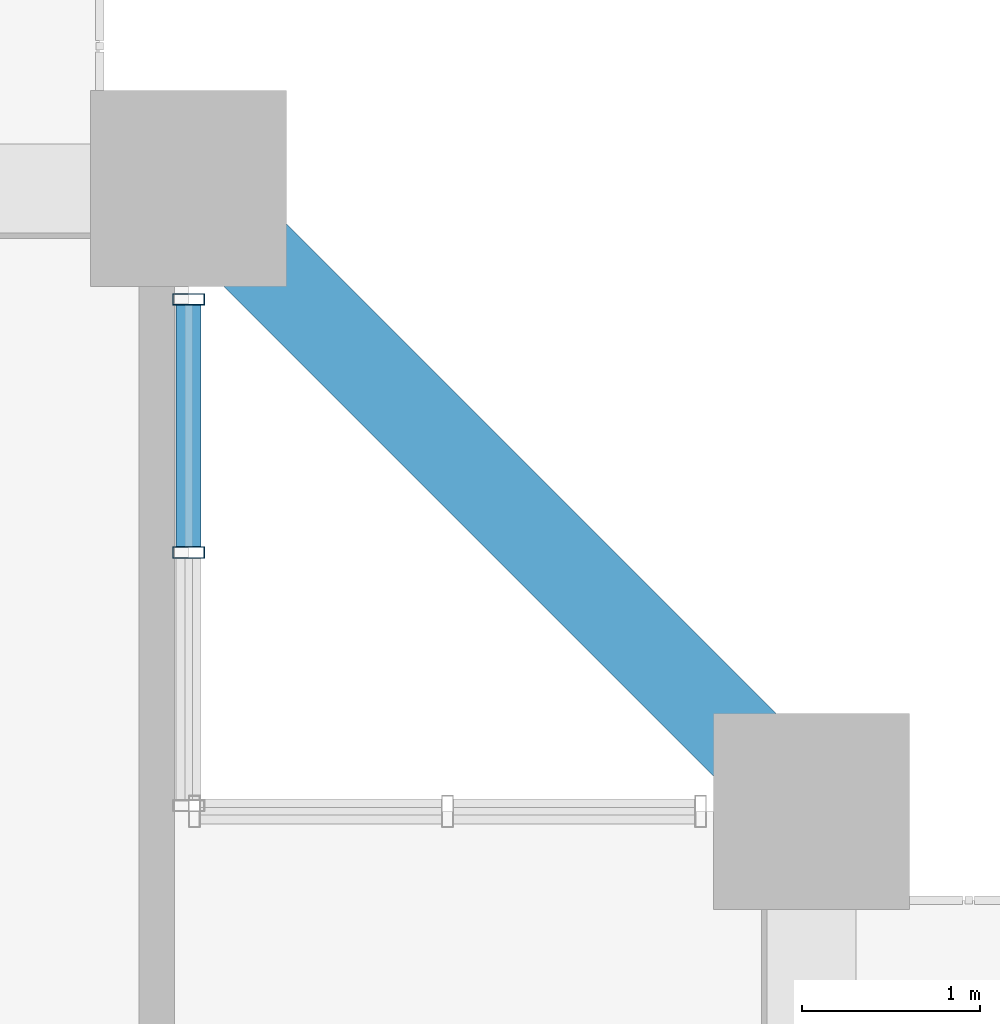
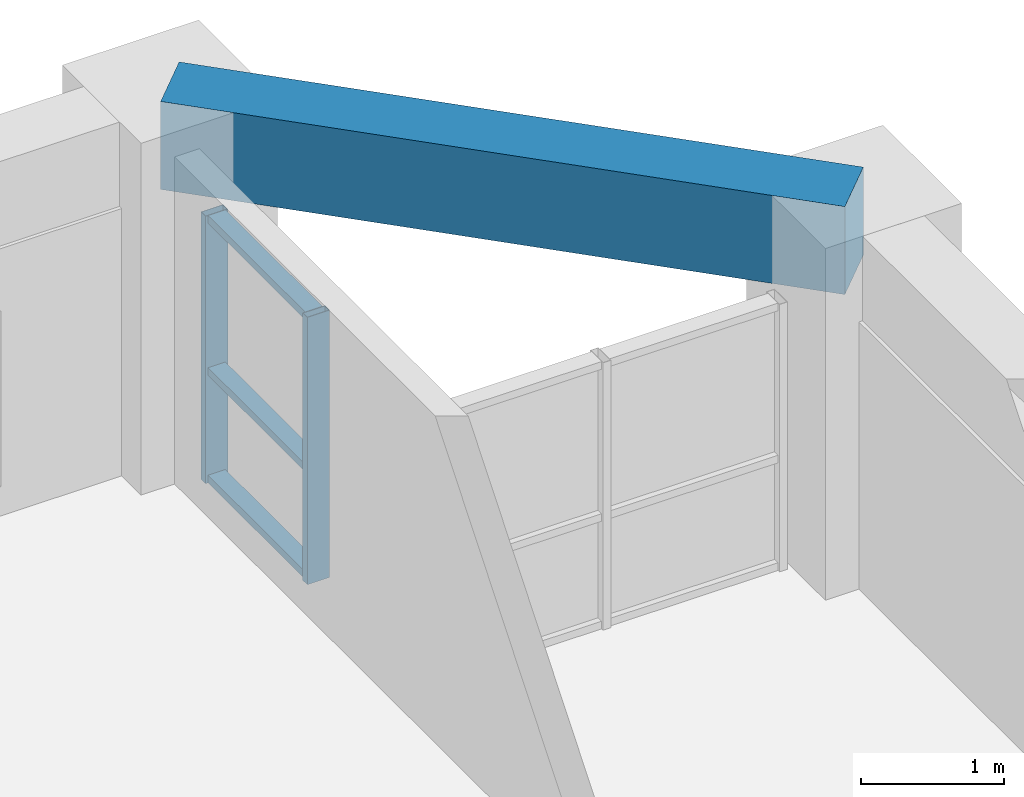
# One storey, part 12 of 28: 5 members, 1 beam, 1 element without a shape of its own.
"""IFC4 building model written with IfcOpenShell, lengths in metres."""

import ifcopenshell
import ifcopenshell.guid

model = None  # the IFC model being written
_history = None  # IfcOwnerHistory: only IFC2X3 demands one
_inside = {}  # id of a spatial element -> (the spatial element, [elements in it])
_under = {}  # id of a project, library or spatial element -> (it, [spatial elements below it])
_declared = {}  # id of a project -> (the project, [libraries it declares])
_typed = {}  # id of a type object -> (the type object, [elements of that type])
_made_of = {}  # id of a material, layer set ... -> (it, [elements and type objects made of it])


def new_model(schema):
    """Start an empty IFC model of exactly this schema.

    Asked for "IFC4X3", IfcOpenShell would pick the latest addendum, in which some entities
    have other attributes; the version numbers below select the first issue.
    IFC2X3 requires an IfcOwnerHistory on every rooted entity: one is made here for all.
    """
    global model, _history
    if schema == "IFC4X3":
        model = ifcopenshell.file(schema_version=(4, 3, 0, 0))
    else:
        model = ifcopenshell.file(schema=schema)
    _inside.clear()
    _under.clear()
    _declared.clear()
    _typed.clear()
    _made_of.clear()
    _history = None
    if model.schema == "IFC2X3":
        org = make("IfcOrganization", Name="unknown")
        user = make(
            "IfcPersonAndOrganization",
            ThePerson=make("IfcPerson", FamilyName="unknown"),
            TheOrganization=org,
        )
        app = make(
            "IfcApplication",
            ApplicationDeveloper=org,
            Version="unknown",
            ApplicationFullName="unknown",
            ApplicationIdentifier="unknown",
        )
        _history = make(
            "IfcOwnerHistory",
            OwningUser=user,
            OwningApplication=app,
            ChangeAction="ADDED",
            CreationDate=0,
        )
    return model


def make(cls, **values):
    """One entity of the class cls with the attributes given. An attribute that is None is left unset."""
    return model.create_entity(
        cls, **{name: value for name, value in values.items() if value is not None}
    )


def rooted(cls, **values):
    """An entity with a GlobalId (a new one), such as an element, a storey or a relation."""
    return make(cls, GlobalId=ifcopenshell.guid.new(), OwnerHistory=_history, **values)


def si_unit(unit_type, name, prefix=None):
    """IfcSIUnit, for example si_unit("LENGTHUNIT", "METRE", prefix="MILLI")."""
    return make("IfcSIUnit", UnitType=unit_type, Prefix=prefix, Name=name)


def assignment(units):
    """IfcUnitAssignment: the units of a project."""
    return None if units is None else make("IfcUnitAssignment", Units=units)


def point(xyz):
    """IfcCartesianPoint."""
    return None if xyz is None else make("IfcCartesianPoint", Coordinates=xyz)


def direction(xyz):
    """IfcDirection."""
    return None if xyz is None else make("IfcDirection", DirectionRatios=xyz)


def frame(location, z_axis=None, x_axis=None):
    """IfcAxis2Placement3D, a coordinate frame: its origin and axes. An axis left out is left unset."""
    return make(
        "IfcAxis2Placement3D",
        Location=point(location),
        Axis=direction(z_axis),
        RefDirection=direction(x_axis),
    )


def frame_2d(location, x_axis=None):
    """IfcAxis2Placement2D, a coordinate frame in the plane: its origin and x axis."""
    return make(
        "IfcAxis2Placement2D", Location=point(location), RefDirection=direction(x_axis)
    )


def origin():
    """The frame at (0, 0, 0) with its axes left unset."""
    return frame((0.0, 0.0, 0.0))


def origin_2d():
    """The frame at (0, 0) in the plane with its x axis left unset."""
    return frame_2d((0.0, 0.0))


def place(relative_to, where):
    """IfcLocalPlacement: puts the frame where relative to a parent placement (None: the world)."""
    return make(
        "IfcLocalPlacement", PlacementRelTo=relative_to, RelativePlacement=where
    )


def context(
    kind, dimensions, precision=None, world=None, true_north=None, identifier=None
):
    """IfcGeometricRepresentationContext, for example the 3D "Model" context."""
    return make(
        "IfcGeometricRepresentationContext",
        ContextIdentifier=identifier,
        ContextType=kind,
        CoordinateSpaceDimension=dimensions,
        Precision=precision,
        WorldCoordinateSystem=world,
        TrueNorth=true_north,
    )


def subcontext(parent, identifier, kind, view, scale=None):
    """IfcGeometricRepresentationSubContext, for example "Body" below "Model"."""
    return make(
        "IfcGeometricRepresentationSubContext",
        ContextIdentifier=identifier,
        ContextType=kind,
        ParentContext=parent,
        TargetScale=scale,
        TargetView=view,
    )


def project(units=None, contexts=None):
    """IfcProject with its units and contexts."""
    return rooted(
        "IfcProject",
        Name="project",
        RepresentationContexts=contexts,
        UnitsInContext=assignment(units),
    )


def spatial(cls, under=None, at=None, **own):
    """A site, building, storey or space (cls), placed at a placement, below another one or the project."""
    s = rooted(cls, ObjectPlacement=at, **own)
    if under is not None:
        _under.setdefault(under.id(), (under, []))[1].append(s)
    return s


def profile(cls, at=None, kind="AREA", **sizes):
    """A parametric profile (cls). Its sizes go by their IFC names, for example OverallWidth=200.0."""
    return make(cls, ProfileType=kind, Position=at, **sizes)


def rectangle(**sizes):
    """IfcRectangleProfileDef."""
    return profile("IfcRectangleProfileDef", **sizes)


def hollow_rectangle(**sizes):
    """IfcRectangleHollowProfileDef."""
    return profile("IfcRectangleHollowProfileDef", **sizes)


def extrude(swept, where, along, depth):
    """IfcExtrudedAreaSolid: the profile swept, set in the frame where, extruded along a direction by depth."""
    return make(
        "IfcExtrudedAreaSolid",
        SweptArea=swept,
        Position=where,
        ExtrudedDirection=direction(along),
        Depth=depth,
    )


def shape(context_of_items, identifier, shape_type, items):
    """IfcShapeRepresentation: the items that make up one representation, for example the "Body"."""
    return make(
        "IfcShapeRepresentation",
        ContextOfItems=context_of_items,
        RepresentationIdentifier=identifier,
        RepresentationType=shape_type,
        Items=items,
    )


def source(mapping_origin, context_of_items, identifier, shape_type, items):
    """IfcRepresentationMap: a shape defined once, which mapped items show again and again."""
    return make(
        "IfcRepresentationMap",
        MappingOrigin=mapping_origin,
        MappedRepresentation=shape(context_of_items, identifier, shape_type, items),
    )


def transform(
    local_origin,
    x_axis=None,
    y_axis=None,
    z_axis=None,
    scale=None,
    scale2=None,
    scale3=None,
    uniform=True,
):
    """IfcCartesianTransformationOperator3D, or its non-uniform kind. x_axis, y_axis, z_axis: its Axis1, 2, 3."""
    if uniform:
        return make(
            "IfcCartesianTransformationOperator3D",
            Axis1=direction(x_axis),
            Axis2=direction(y_axis),
            LocalOrigin=point(local_origin),
            Scale=scale,
            Axis3=direction(z_axis),
        )
    return make(
        "IfcCartesianTransformationOperator3DnonUniform",
        Axis1=direction(x_axis),
        Axis2=direction(y_axis),
        LocalOrigin=point(local_origin),
        Scale=scale,
        Axis3=direction(z_axis),
        Scale2=scale2,
        Scale3=scale3,
    )


def mapped(mapping_source, mapping_target):
    """IfcMappedItem: shows the shape of a source again, moved by a transform."""
    return make(
        "IfcMappedItem", MappingSource=mapping_source, MappingTarget=mapping_target
    )


def material(Name=None, Category=None):
    """IfcMaterial."""
    return make("IfcMaterial", Name=Name, Category=Category)


def layer(
    of_material, thickness, ventilated=None, Name=None, Category=None, Priority=None
):
    """IfcMaterialLayer: one layer of a wall or slab, of a material (None: an air gap)."""
    return make(
        "IfcMaterialLayer",
        Material=of_material,
        LayerThickness=thickness,
        IsVentilated=ventilated,
        Name=Name,
        Category=Category,
        Priority=Priority,
    )


def layer_set(layers, Name=None):
    """IfcMaterialLayerSet."""
    return make("IfcMaterialLayerSet", MaterialLayers=layers, LayerSetName=Name)


def material_profile(
    of_material, cross_section, Name=None, Category=None, Priority=None
):
    """IfcMaterialProfile: a cross section and its material."""
    return make(
        "IfcMaterialProfile",
        Name=Name,
        Material=of_material,
        Profile=cross_section,
        Priority=Priority,
        Category=Category,
    )


def profile_set(profiles, Name=None, composite=None):
    """IfcMaterialProfileSet."""
    return make(
        "IfcMaterialProfileSet",
        Name=Name,
        MaterialProfiles=profiles,
        CompositeProfile=composite,
    )


def made_of(thing, what):
    """Note that an element or type object is made of a material, layer set ...; save() writes the relation."""
    if what is not None:
        _made_of.setdefault(what.id(), (what, []))[1].append(thing)
    return thing


def type_object(cls, material=None, **own):
    """A type object (cls), such as IfcWallType, which elements share."""
    return made_of(rooted(cls, **own), material)


def element(
    cls,
    number,
    at=None,
    inside=None,
    cuts=None,
    type_object=None,
    material=None,
    context=None,
    identifier="Body",
    shape_type=None,
    held_by="IfcProductDefinitionShape",
    body=None,
    shapes=None,
    **own,
):
    """One element of the class cls, such as IfcWall. Its Tag is "e" and its number.

    at: its placement. inside: the storey or other place that contains it. cuts: it is an
    opening in that element (IfcRelVoidsElement). A single representation is given by context,
    identifier, shape_type and body (its items); several are given by shapes. held_by: the class
    of the entity that holds the representations. save() writes the other relations.
    """
    e = rooted(cls, Tag="e%d" % number, ObjectPlacement=at, **own)
    if body is not None:
        shapes = [shape(context, identifier, shape_type, body)]
    if shapes is not None:
        e.Representation = make(held_by, Representations=shapes)
    if inside is not None:
        _inside.setdefault(inside.id(), (inside, []))[1].append(e)
    if cuts is not None:
        rooted(
            "IfcRelVoidsElement", RelatingBuildingElement=cuts, RelatedOpeningElement=e
        )
    if type_object is not None:
        _typed.setdefault(type_object.id(), (type_object, []))[1].append(e)
    return made_of(e, material)


def aggregate(whole, parts):
    """IfcRelAggregates: a whole, such as a stair, and the parts it consists of."""
    return rooted("IfcRelAggregates", RelatingObject=whole, RelatedObjects=parts)


def save(model, path):
    """Write the relations noted so far, then the file.

    IfcRelAggregates (storeys below a building ...), IfcRelContainedInSpatialStructure (elements
    in a storey), IfcRelDefinesByType, IfcRelAssociatesMaterial and IfcRelDeclares: one each for
    every whole, place, type object, material and project.
    """
    for whole, parts in _under.values():
        aggregate(whole, parts)
    for where, things in _inside.values():
        rooted(
            "IfcRelContainedInSpatialStructure",
            RelatedElements=things,
            RelatingStructure=where,
        )
    for kind, things in _typed.values():
        rooted("IfcRelDefinesByType", RelatedObjects=things, RelatingType=kind)
    for what, things in _made_of.values():
        rooted("IfcRelAssociatesMaterial", RelatedObjects=things, RelatingMaterial=what)
    for by, libraries in _declared.values():
        rooted("IfcRelDeclares", RelatingContext=by, RelatedDefinitions=libraries)
    model.write(path)


model = new_model("IFC4")

# Units and contexts
model_context = context("Model", 3, precision=1e-05, world=origin(), true_north=direction((0.0, 1.0)))
body_context = subcontext(model_context, "Body", "Model", "MODEL_VIEW")
ifc_project = project(units=[si_unit("LENGTHUNIT", "METRE"), si_unit("AREAUNIT", "SQUARE_METRE"), si_unit("VOLUMEUNIT", "CUBIC_METRE"), si_unit("PLANEANGLEUNIT", "RADIAN"), si_unit("MASSUNIT", "GRAM", prefix="KILO")], contexts=[model_context])

# Site, building, storey
site_placement = place(None, origin())
site = spatial("IfcSite", under=ifc_project, at=site_placement, CompositionType="ELEMENT")
building_placement = place(site_placement, origin())
building = spatial("IfcBuilding", under=site, at=building_placement, Name="Saelheon Loggia Tower", CompositionType="ELEMENT")
storey_placement = place(building_placement, frame((0.0, 0.0, 61.39990234375)))
storey = spatial("IfcBuildingStorey", under=building, at=storey_placement, Name="L19", CompositionType="ELEMENT", Elevation=61.39990234375)

# Beam
ifc_material_1 = material(Name="Concrete C45/55", Category="concrete")
ifc_material_profile_1 = material_profile(ifc_material_1, rectangle(XDim=0.5, YDim=0.75, at=origin_2d()), Name="RC-500x750")
ifc_profile_set_1 = profile_set([ifc_material_profile_1], Name="Concrete C45/55")
beam_type = type_object("IfcBeamType", Name="Beam_PerimGirder_RC500x750", PredefinedType="BEAM", material=ifc_profile_set_1)
shared_shape_1 = source(origin(), body_context, "Body", "SweptSolid", [
    extrude(rectangle(XDim=0.5, YDim=0.75, at=origin_2d()), origin(), (0.0, 0.0, 1.0), 4.94970703125),
])
beam_placement = place(storey_placement, frame((64.0, 47.5, 2.625), z_axis=(-0.707106781187, 0.707106781187, 0.0), x_axis=(-0.707106781187, -0.707106781187, 0.0)))
element("IfcBeam", 1, at=beam_placement, inside=storey, type_object=beam_type, Name="L19 Perimeter Frame Girder 08", PredefinedType="BEAM", context=body_context, shape_type="MappedRepresentation", body=[
    mapped(shared_shape_1, transform((0.0, 0.0, 0.0), scale=1.0)),
])

# Curtain wall, members
ifc_material_2 = material(Name="Thermal-Break Aluminium and Triple Low-E Glass", Category="aluminium")
ifc_layer = layer(ifc_material_2, 0.159912109375)
ifc_layer_set = layer_set([ifc_layer], Name="Thermal-Break Aluminium and Triple Low-E Glass")
curtain_wall_type = type_object("IfcCurtainWallType", Name="CW_TowerLoggiaLow", PredefinedType="NOTDEFINED", material=ifc_layer_set)
curtain_wall_placement = place(storey_placement, origin())
curtain_wall = element("IfcCurtainWall", 2, at=curtain_wall_placement, inside=storey, type_object=curtain_wall_type, Name="L19 Corner Notch Glazing NE1", PredefinedType="NOTDEFINED")
ifc_material_3 = material(Name="Anodised Aluminium 6063-T6", Category="aluminium")
ifc_material_profile_2 = material_profile(ifc_material_3, hollow_rectangle(XDim=0.06494140625, YDim=0.179931640625, WallThickness=0.00390625, at=origin_2d()), Name="RHS-180x65x4")
ifc_profile_set_2 = profile_set([ifc_material_profile_2], Name="Anodised Aluminium 6063-T6")
member_type_1 = type_object("IfcMemberType", Name="CW_TowerLoggiaLow_Mullion", PredefinedType="MULLION", material=ifc_profile_set_2)
shared_shape_2 = source(origin(), body_context, "Body", "SweptSolid", [
    extrude(hollow_rectangle(XDim=0.06494140625, YDim=0.179931640625, WallThickness=0.00390625, at=origin_2d()), origin(), (0.0, 0.0, 1.0), 2.280029296875),
])
member_1_placement = place(storey_placement, frame((60.5, 48.955078125, 0.0), z_axis=(0.0, 0.0, 1.0), x_axis=(0.0, 1.0, 0.0)))
member_1 = element("IfcMember", 3, at=member_1_placement, type_object=member_type_1, Name="CW3 mullion 2", PredefinedType="MULLION", context=body_context, shape_type="MappedRepresentation", body=[
    mapped(shared_shape_2, transform((0.0, 0.0, 0.0), scale=1.0)),
])
member_2_placement = place(storey_placement, frame((60.5, 50.37744140625, 0.0), z_axis=(0.0, 0.0, 1.0), x_axis=(0.0, 1.0, 0.0)))
member_2 = element("IfcMember", 4, at=member_2_placement, type_object=member_type_1, Name="CW3 mullion 3", PredefinedType="MULLION", context=body_context, shape_type="MappedRepresentation", body=[
    mapped(shared_shape_2, transform((0.0, 0.0, 0.0), scale=1.0)),
])
ifc_material_profile_3 = material_profile(ifc_material_3, hollow_rectangle(XDim=0.06494140625, YDim=0.139892578125, WallThickness=0.00390625, at=origin_2d()), Name="RHS-140x65x4")
ifc_profile_set_3 = profile_set([ifc_material_profile_3], Name="Anodised Aluminium 6063-T6")
member_type_2 = type_object("IfcMemberType", Name="CW_TowerLoggiaLow_Transom", PredefinedType="USERDEFINED", material=ifc_profile_set_3)
shared_shape_3 = source(origin(), body_context, "Body", "SweptSolid", [
    extrude(hollow_rectangle(XDim=0.06494140625, YDim=0.139892578125, WallThickness=0.00390625, at=origin_2d()), origin(), (0.0, 0.0, 1.0), 1.357421875),
])
member_3_placement = place(storey_placement, frame((60.5, 48.987548828125, 0.03271484375), z_axis=(0.0, 1.0, 0.0), x_axis=(0.0, 0.0, 1.0)))
member_3 = element("IfcMember", 5, at=member_3_placement, type_object=member_type_2, Name="CW3 transom 2.1", ObjectType="TRANSOM", PredefinedType="USERDEFINED", context=body_context, shape_type="MappedRepresentation", body=[
    mapped(shared_shape_3, transform((0.0, 0.0, 0.0), scale=1.0)),
])
member_4_placement = place(storey_placement, frame((60.5, 48.987548828125, 0.9501953125), z_axis=(0.0, 1.0, 0.0), x_axis=(0.0, 0.0, 1.0)))
member_4 = element("IfcMember", 6, at=member_4_placement, type_object=member_type_2, Name="CW3 transom 2.2", ObjectType="TRANSOM", PredefinedType="USERDEFINED", context=body_context, shape_type="MappedRepresentation", body=[
    mapped(shared_shape_3, transform((0.0, 0.0, 0.0), scale=1.0)),
])
member_5_placement = place(storey_placement, frame((60.5, 48.987548828125, 2.24755859375), z_axis=(0.0, 1.0, 0.0), x_axis=(0.0, 0.0, 1.0)))
member_5 = element("IfcMember", 7, at=member_5_placement, type_object=member_type_2, Name="CW3 transom 2.3", ObjectType="TRANSOM", PredefinedType="USERDEFINED", context=body_context, shape_type="MappedRepresentation", body=[
    mapped(shared_shape_3, transform((0.0, 0.0, 0.0), scale=1.0)),
])
aggregate(curtain_wall, [member_1, member_2, member_3, member_4, member_5])

save(model, "model.ifc")
